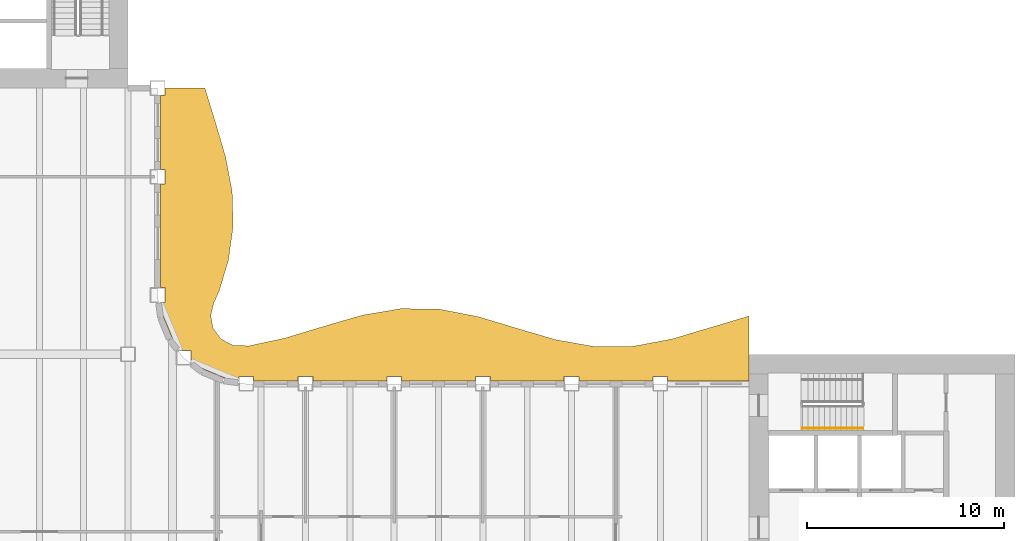
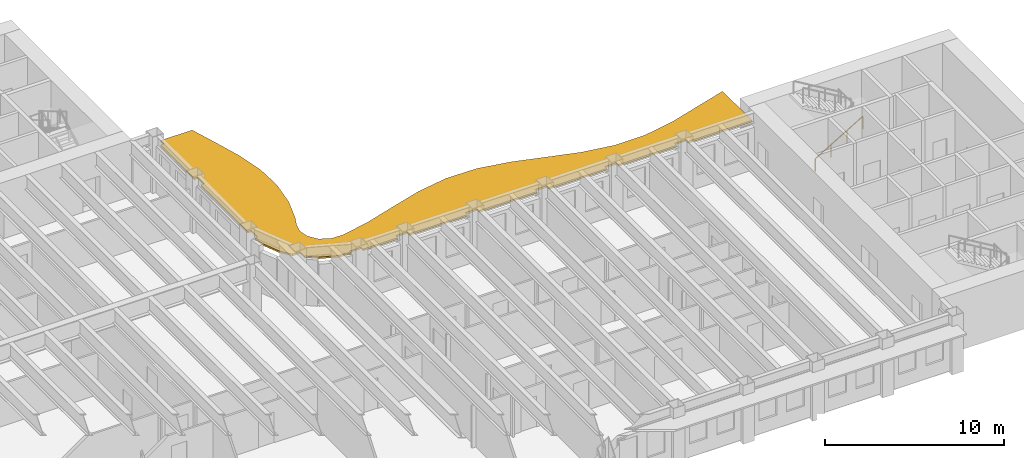
# One storey, part 14 of 16: 1 railing, 1 shading device.
"""IFC4 building model written with IfcOpenShell, lengths in metres."""

import ifcopenshell
import ifcopenshell.guid

model = None  # the IFC model being written
_history = None  # IfcOwnerHistory: only IFC2X3 demands one
_inside = {}  # id of a spatial element -> (the spatial element, [elements in it])
_under = {}  # id of a project, library or spatial element -> (it, [spatial elements below it])
_declared = {}  # id of a project -> (the project, [libraries it declares])
_typed = {}  # id of a type object -> (the type object, [elements of that type])
_made_of = {}  # id of a material, layer set ... -> (it, [elements and type objects made of it])


def new_model(schema):
    """Start an empty IFC model of exactly this schema.

    Asked for "IFC4X3", IfcOpenShell would pick the latest addendum, in which some entities
    have other attributes; the version numbers below select the first issue.
    IFC2X3 requires an IfcOwnerHistory on every rooted entity: one is made here for all.
    """
    global model, _history
    if schema == "IFC4X3":
        model = ifcopenshell.file(schema_version=(4, 3, 0, 0))
    else:
        model = ifcopenshell.file(schema=schema)
    _inside.clear()
    _under.clear()
    _declared.clear()
    _typed.clear()
    _made_of.clear()
    _history = None
    if model.schema == "IFC2X3":
        org = make("IfcOrganization", Name="unknown")
        user = make(
            "IfcPersonAndOrganization",
            ThePerson=make("IfcPerson", FamilyName="unknown"),
            TheOrganization=org,
        )
        app = make(
            "IfcApplication",
            ApplicationDeveloper=org,
            Version="unknown",
            ApplicationFullName="unknown",
            ApplicationIdentifier="unknown",
        )
        _history = make(
            "IfcOwnerHistory",
            OwningUser=user,
            OwningApplication=app,
            ChangeAction="ADDED",
            CreationDate=0,
        )
    return model


def make(cls, **values):
    """One entity of the class cls with the attributes given. An attribute that is None is left unset."""
    return model.create_entity(
        cls, **{name: value for name, value in values.items() if value is not None}
    )


def rooted(cls, **values):
    """An entity with a GlobalId (a new one), such as an element, a storey or a relation."""
    return make(cls, GlobalId=ifcopenshell.guid.new(), OwnerHistory=_history, **values)


def si_unit(unit_type, name, prefix=None):
    """IfcSIUnit, for example si_unit("LENGTHUNIT", "METRE", prefix="MILLI")."""
    return make("IfcSIUnit", UnitType=unit_type, Prefix=prefix, Name=name)


def assignment(units):
    """IfcUnitAssignment: the units of a project."""
    return None if units is None else make("IfcUnitAssignment", Units=units)


def point(xyz):
    """IfcCartesianPoint."""
    return None if xyz is None else make("IfcCartesianPoint", Coordinates=xyz)


def direction(xyz):
    """IfcDirection."""
    return None if xyz is None else make("IfcDirection", DirectionRatios=xyz)


def frame(location, z_axis=None, x_axis=None):
    """IfcAxis2Placement3D, a coordinate frame: its origin and axes. An axis left out is left unset."""
    return make(
        "IfcAxis2Placement3D",
        Location=point(location),
        Axis=direction(z_axis),
        RefDirection=direction(x_axis),
    )


def frame_2d(location, x_axis=None):
    """IfcAxis2Placement2D, a coordinate frame in the plane: its origin and x axis."""
    return make(
        "IfcAxis2Placement2D", Location=point(location), RefDirection=direction(x_axis)
    )


def origin():
    """The frame at (0, 0, 0) with its axes left unset."""
    return frame((0.0, 0.0, 0.0))


def origin_2d():
    """The frame at (0, 0) in the plane with its x axis left unset."""
    return frame_2d((0.0, 0.0))


def place(relative_to, where):
    """IfcLocalPlacement: puts the frame where relative to a parent placement (None: the world)."""
    return make(
        "IfcLocalPlacement", PlacementRelTo=relative_to, RelativePlacement=where
    )


def context(
    kind, dimensions, precision=None, world=None, true_north=None, identifier=None
):
    """IfcGeometricRepresentationContext, for example the 3D "Model" context."""
    return make(
        "IfcGeometricRepresentationContext",
        ContextIdentifier=identifier,
        ContextType=kind,
        CoordinateSpaceDimension=dimensions,
        Precision=precision,
        WorldCoordinateSystem=world,
        TrueNorth=true_north,
    )


def subcontext(parent, identifier, kind, view, scale=None):
    """IfcGeometricRepresentationSubContext, for example "Body" below "Model"."""
    return make(
        "IfcGeometricRepresentationSubContext",
        ContextIdentifier=identifier,
        ContextType=kind,
        ParentContext=parent,
        TargetScale=scale,
        TargetView=view,
    )


def project(units=None, contexts=None):
    """IfcProject with its units and contexts."""
    return rooted(
        "IfcProject",
        Name="project",
        RepresentationContexts=contexts,
        UnitsInContext=assignment(units),
    )


def spatial(cls, under=None, at=None, **own):
    """A site, building, storey or space (cls), placed at a placement, below another one or the project."""
    s = rooted(cls, ObjectPlacement=at, **own)
    if under is not None:
        _under.setdefault(under.id(), (under, []))[1].append(s)
    return s


def polyline(points):
    """IfcPolyline through the points."""
    return make("IfcPolyline", Points=[point(p) for p in points])


def profile(cls, at=None, kind="AREA", **sizes):
    """A parametric profile (cls). Its sizes go by their IFC names, for example OverallWidth=200.0."""
    return make(cls, ProfileType=kind, Position=at, **sizes)


def rectangle(**sizes):
    """IfcRectangleProfileDef."""
    return profile("IfcRectangleProfileDef", **sizes)


def outline(outer, holes=None, kind="AREA"):
    """IfcArbitraryClosedProfileDef: a profile drawn as a closed curve; with holes, ...WithVoids."""
    if holes is None:
        return make("IfcArbitraryClosedProfileDef", ProfileType=kind, OuterCurve=outer)
    return make(
        "IfcArbitraryProfileDefWithVoids",
        ProfileType=kind,
        OuterCurve=outer,
        InnerCurves=holes,
    )


def extrude(swept, where, along, depth):
    """IfcExtrudedAreaSolid: the profile swept, set in the frame where, extruded along a direction by depth."""
    return make(
        "IfcExtrudedAreaSolid",
        SweptArea=swept,
        Position=where,
        ExtrudedDirection=direction(along),
        Depth=depth,
    )


def shape(context_of_items, identifier, shape_type, items):
    """IfcShapeRepresentation: the items that make up one representation, for example the "Body"."""
    return make(
        "IfcShapeRepresentation",
        ContextOfItems=context_of_items,
        RepresentationIdentifier=identifier,
        RepresentationType=shape_type,
        Items=items,
    )


def material(Name=None, Category=None):
    """IfcMaterial."""
    return make("IfcMaterial", Name=Name, Category=Category)


def layer(
    of_material, thickness, ventilated=None, Name=None, Category=None, Priority=None
):
    """IfcMaterialLayer: one layer of a wall or slab, of a material (None: an air gap)."""
    return make(
        "IfcMaterialLayer",
        Material=of_material,
        LayerThickness=thickness,
        IsVentilated=ventilated,
        Name=Name,
        Category=Category,
        Priority=Priority,
    )


def layer_set(layers, Name=None):
    """IfcMaterialLayerSet."""
    return make("IfcMaterialLayerSet", MaterialLayers=layers, LayerSetName=Name)


def made_of(thing, what):
    """Note that an element or type object is made of a material, layer set ...; save() writes the relation."""
    if what is not None:
        _made_of.setdefault(what.id(), (what, []))[1].append(thing)
    return thing


def type_object(cls, material=None, **own):
    """A type object (cls), such as IfcWallType, which elements share."""
    return made_of(rooted(cls, **own), material)


def element(
    cls,
    number,
    at=None,
    inside=None,
    cuts=None,
    type_object=None,
    material=None,
    context=None,
    identifier="Body",
    shape_type=None,
    held_by="IfcProductDefinitionShape",
    body=None,
    shapes=None,
    **own,
):
    """One element of the class cls, such as IfcWall. Its Tag is "e" and its number.

    at: its placement. inside: the storey or other place that contains it. cuts: it is an
    opening in that element (IfcRelVoidsElement). A single representation is given by context,
    identifier, shape_type and body (its items); several are given by shapes. held_by: the class
    of the entity that holds the representations. save() writes the other relations.
    """
    e = rooted(cls, Tag="e%d" % number, ObjectPlacement=at, **own)
    if body is not None:
        shapes = [shape(context, identifier, shape_type, body)]
    if shapes is not None:
        e.Representation = make(held_by, Representations=shapes)
    if inside is not None:
        _inside.setdefault(inside.id(), (inside, []))[1].append(e)
    if cuts is not None:
        rooted(
            "IfcRelVoidsElement", RelatingBuildingElement=cuts, RelatedOpeningElement=e
        )
    if type_object is not None:
        _typed.setdefault(type_object.id(), (type_object, []))[1].append(e)
    return made_of(e, material)


def aggregate(whole, parts):
    """IfcRelAggregates: a whole, such as a stair, and the parts it consists of."""
    return rooted("IfcRelAggregates", RelatingObject=whole, RelatedObjects=parts)


def save(model, path):
    """Write the relations noted so far, then the file.

    IfcRelAggregates (storeys below a building ...), IfcRelContainedInSpatialStructure (elements
    in a storey), IfcRelDefinesByType, IfcRelAssociatesMaterial and IfcRelDeclares: one each for
    every whole, place, type object, material and project.
    """
    for whole, parts in _under.values():
        aggregate(whole, parts)
    for where, things in _inside.values():
        rooted(
            "IfcRelContainedInSpatialStructure",
            RelatedElements=things,
            RelatingStructure=where,
        )
    for kind, things in _typed.values():
        rooted("IfcRelDefinesByType", RelatedObjects=things, RelatingType=kind)
    for what, things in _made_of.values():
        rooted("IfcRelAssociatesMaterial", RelatedObjects=things, RelatingMaterial=what)
    for by, libraries in _declared.values():
        rooted("IfcRelDeclares", RelatingContext=by, RelatedDefinitions=libraries)
    model.write(path)


model = new_model("IFC4")

# Units and contexts
model_context = context("Model", 3, precision=1e-05, world=origin(), true_north=direction((0.0, 1.0)))
body_context = subcontext(model_context, "Body", "Model", "MODEL_VIEW")
ifc_project = project(units=[si_unit("LENGTHUNIT", "METRE"), si_unit("AREAUNIT", "SQUARE_METRE"), si_unit("VOLUMEUNIT", "CUBIC_METRE"), si_unit("PLANEANGLEUNIT", "RADIAN"), si_unit("MASSUNIT", "GRAM", prefix="KILO")], contexts=[model_context])

# Site, building, storey
site_placement = place(None, origin())
site = spatial("IfcSite", under=ifc_project, at=site_placement, CompositionType="ELEMENT")
building_placement = place(site_placement, origin())
building = spatial("IfcBuilding", under=site, at=building_placement, Name="Sennacour Bend Tower", CompositionType="ELEMENT")
storey_placement = place(building_placement, frame((0.0, 0.0, 207.0)))
storey = spatial("IfcBuildingStorey", under=building, at=storey_placement, Name="L47", CompositionType="ELEMENT", Elevation=207.0)

# Railing
ifc_material_1 = material(Name="Stainless steel", Category="steel")
railing_type = type_object("IfcRailingType", Name="RL-HANDRAIL-900", PredefinedType="HANDRAIL", material=ifc_material_1)
railing_placement = place(storey_placement, frame((56.699951171875, 18.75, 0.166748046875)))
element("IfcRailing", 1, at=railing_placement, inside=storey, type_object=railing_type, Name="L47 SA2 stair handrail 1", PredefinedType="HANDRAIL", context=body_context, shape_type="SweptSolid", body=[
    extrude(rectangle(XDim=0.048095703125, YDim=0.048095703125, at=origin_2d()), frame((0.0, 0.0, 0.8759765625), z_axis=(0.859308565015, 0.0, 0.511457515432), x_axis=(0.0, 1.0, 0.0)), (0.0, 0.0, 1.0), 3.58447265625),
    extrude(rectangle(XDim=0.0419921875, YDim=0.0419921875, at=origin_2d()), origin(), (0.0, 0.0, 1.0), 0.851806640625),
    extrude(rectangle(XDim=0.0419921875, YDim=0.0419921875, at=origin_2d()), frame((1.026611328125, 0.0, 0.611083984375)), (0.0, 0.0, 1.0), 0.851806640625),
    extrude(rectangle(XDim=0.0419921875, YDim=0.0419921875, at=origin_2d()), frame((2.053466796875, 0.0, 1.22216796875)), (0.0, 0.0, 1.0), 0.851806640625),
    extrude(rectangle(XDim=0.0419921875, YDim=0.0419921875, at=origin_2d()), frame((3.080078125, 0.0, 1.833251953125)), (0.0, 0.0, 1.0), 0.851806640625),
])

# Shading device
ifc_material_2 = material(Name="Bronze anodised aluminium", Category="aluminium")
ifc_layer = layer(ifc_material_2, 0.1201171875, Name="Bronze anodised aluminium", Category="aluminium")
ifc_layer_set = layer_set([ifc_layer], Name="Bronze anodised aluminium")
shading_device_type = type_object("IfcShadingDeviceType", Name="SUNSHADE BAND WAVE", PredefinedType="USERDEFINED", material=ifc_layer_set)
shading_device_placement = place(storey_placement, frame((0.0, 0.0, 3.037109375)))
element("IfcShadingDevice", 2, at=shading_device_placement, inside=storey, type_object=shading_device_type, Name="Sunshade band L47 concave faces", ObjectType="SUNSHADE", PredefinedType="USERDEFINED", context=body_context, shape_type="SweptSolid", body=[
    extrude(outline(polyline([(54.0, 21.14990234375), (49.875, 21.14990234375), (49.875, 21.375), (49.125, 21.375), (49.125, 21.14990234375), (45.375, 21.14990234375), (45.375, 21.375), (44.625, 21.375), (44.625, 21.14990234375), (40.875, 21.14990234375), (40.875, 21.375), (40.125, 21.375), (40.125, 21.14990234375), (36.375, 21.14990234375), (36.375, 21.375), (35.625, 21.375), (35.625, 21.14990234375), (31.875, 21.14990234375), (31.875, 21.375), (31.125, 21.375), (31.125, 21.14990234375), (28.875, 21.14990234375), (28.875, 21.375), (28.125, 21.375), (28.125, 21.20068359375), (27.37451171875, 21.299560546875), (26.32568359375, 21.73388671875), (25.693115234375, 22.21923828125), (25.693115234375, 22.693115234375), (25.21923828125, 22.693115234375), (24.73388671875, 23.32568359375), (24.299560546875, 24.37451171875), (24.20068359375, 25.125), (24.375, 25.125), (24.375, 25.875), (24.14990234375, 25.875), (24.14990234375, 31.125), (24.375, 31.125), (24.375, 31.875), (24.14990234375, 31.875), (24.14990234375, 35.625), (24.375, 35.625), (24.375, 36.0), (26.400634765625, 36.0), (26.939208984375, 34.25), (27.450927734375, 32.5), (27.781982421875, 30.75), (27.8330078125, 29.0), (27.58837890625, 27.25), (27.1220703125, 25.70458984375), (26.83544921875, 25.053955078125), (26.69677734375, 24.458984375), (26.818359375, 23.818359375), (27.214599609375, 23.2734375), (27.818359375, 22.955810546875), (28.626220703125, 22.92529296875), (30.46142578125, 23.320556640625), (32.423095703125, 23.914306640625), (34.384521484375, 24.484130859375), (36.34619140625, 24.81591796875), (38.3076171875, 24.785400390625), (40.269287109375, 24.404052734375), (42.230712890625, 23.81494140625), (44.1923828125, 23.23876953125), (46.15380859375, 22.89208984375), (48.115478515625, 22.904541015625), (50.076904296875, 23.271728515625), (52.03857421875, 23.85595703125), (54.0, 24.437744140625), (54.0, 21.14990234375)])), origin(), (0.0, 0.0, 1.0), 0.119873046875),
])

save(model, "model.ifc")
